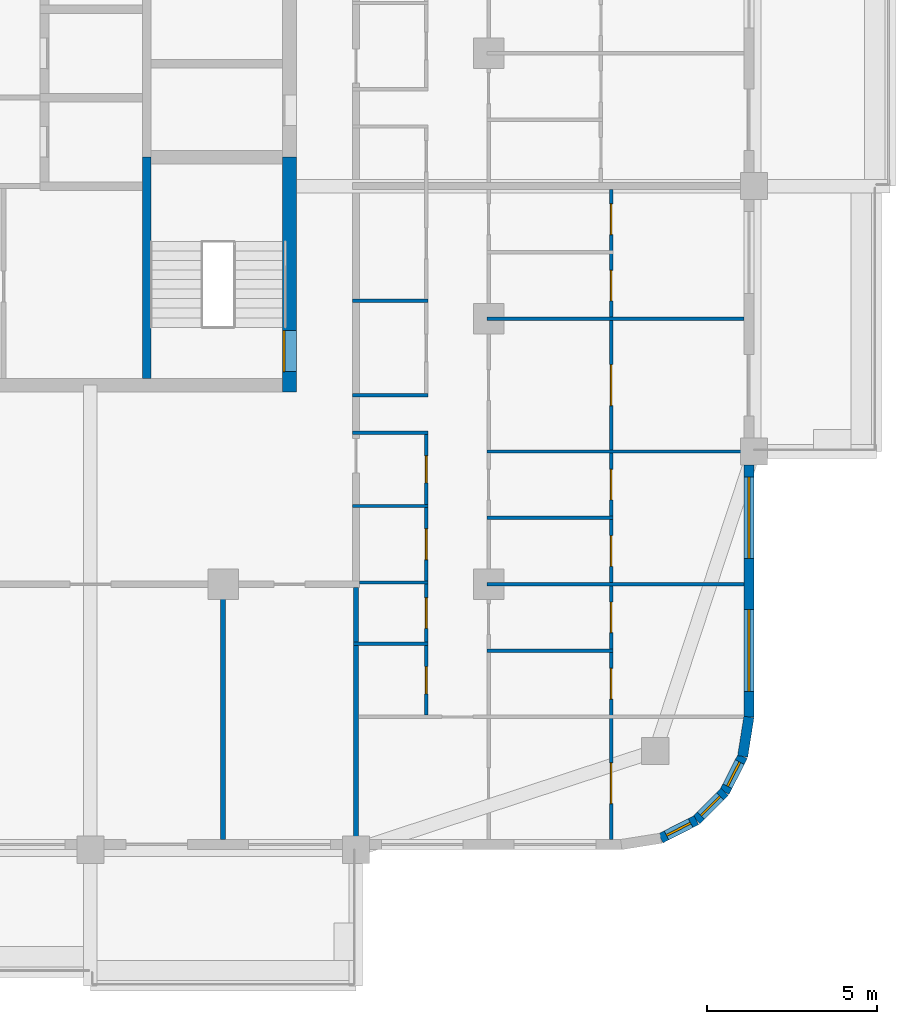
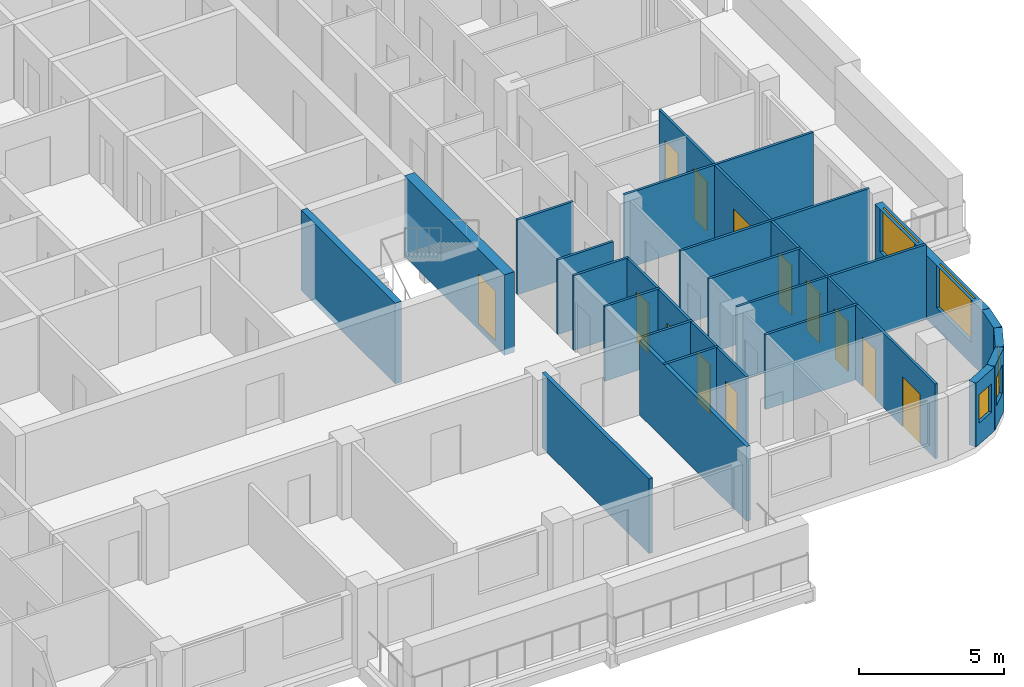
# One storey, part 6 of 16: 22 walls, 13 doors, 5 windows, 18 openings.
"""IFC4 building model written with IfcOpenShell, lengths in metres."""

from ifc_helpers import new_model, si_unit, direction, frame, frame_2d, origin, place, context, subcontext, project, spatial, rectangle, extrude, material, layer, layer_set, type_object, element, fill, save


model = new_model("IFC4")

# Units and contexts
model_context = context("Model", 3, precision=1e-05, world=origin(), true_north=direction((0.0, 1.0)))
body_context = subcontext(model_context, "Body", "Model", "MODEL_VIEW")
ifc_project = project(units=[si_unit("LENGTHUNIT", "METRE"), si_unit("AREAUNIT", "SQUARE_METRE"), si_unit("VOLUMEUNIT", "CUBIC_METRE"), si_unit("PLANEANGLEUNIT", "RADIAN"), si_unit("MASSUNIT", "GRAM", prefix="KILO")], contexts=[model_context])

# Site, building, storey
site_placement = place(None, origin())
site = spatial("IfcSite", under=ifc_project, at=site_placement, CompositionType="ELEMENT")
building_placement = place(site_placement, origin())
building = spatial("IfcBuilding", under=site, at=building_placement, Name="Ludao Terraces", CompositionType="ELEMENT")
storey_placement = place(building_placement, frame((0.0, 0.0, 234.699951171875)))
storey = spatial("IfcBuildingStorey", under=building, at=storey_placement, Name="L64", CompositionType="ELEMENT", Elevation=234.699951171875)

# Wall, opening, door
ifc_material_1 = material(Name="Concrete C50", Category="concrete")
ifc_layer_1 = layer(ifc_material_1, 0.39990234375)
ifc_layer_set_1 = layer_set([ifc_layer_1], Name="Core wall 400 C50")
wall_type_1 = type_object("IfcWallType", Name="Core wall 400 C50", PredefinedType="SOLIDWALL", material=ifc_layer_set_1)
wall_1_placement = place(storey_placement, frame((94.75, 55.050048828125, -0.25), z_axis=(0.0, 0.0, 1.0), x_axis=(0.0, 1.0, 0.0)))
wall_1 = element("IfcWall", 1, at=wall_1_placement, inside=storey, type_object=wall_type_1, Name="Core wall L64 outer-E-S3", PredefinedType="SOLIDWALL", context=body_context, shape_type="SweptSolid", body=[
    extrude(rectangle(XDim=6.89990234375, YDim=0.39990234375, at=frame_2d((3.449951171875, 0.0))), origin(), (0.0, 0.0, 1.0), 3.400146484375),
])
opening_1_placement = place(wall_1_placement, frame((0.60009765625, 0.0, 0.25)))
opening_1 = element("IfcOpeningElement", 2, at=opening_1_placement, cuts=wall_1, Name="Opening R23-038", PredefinedType="OPENING", context=body_context, shape_type="SweptSolid", body=[
    extrude(rectangle(XDim=1.199951171875, YDim=2.10009765625, at=frame_2d((0.60009765625, 1.050048828125))), frame((0.0, 0.2099609375, 0.0), z_axis=(0.0, -1.0, 0.0), x_axis=(1.0, 0.0, 0.0)), (0.0, 0.0, 1.0), 0.419921875),
])
ifc_material_2 = material(Name="Steel Q235", Category="steel")
door_type_1 = type_object("IfcDoorType", Name="INT Stair door 1200", OperationType="DOUBLE_DOOR_SINGLE_SWING", PredefinedType="DOOR", material=ifc_material_2)
door_1_placement = place(opening_1_placement, origin())
door_1 = element("IfcDoor", 3, at=door_1_placement, inside=storey, type_object=door_type_1, Name="DOOR 038", OperationType="DOUBLE_DOOR_SINGLE_SWING", OverallHeight=2.10009765625, OverallWidth=1.199951171875, PredefinedType="DOOR", context=body_context, shape_type="SweptSolid", body=[
    extrude(rectangle(XDim=1.199951171875, YDim=2.10009765625, at=frame_2d((0.60009765625, 1.050048828125))), frame((0.0, 0.18505859375, 0.0), z_axis=(0.0, -1.0, 0.0), x_axis=(1.0, 0.0, 0.0)), (0.0, 0.0, 1.0), 0.050048828125),
])
fill(opening_1, door_1)

# Wall, openings, windows
ifc_material_3 = material(Name="Granite cladding", Category="masonry")
ifc_layer_2 = layer(ifc_material_3, 0.0400390625, Category="stone")
ifc_material_4 = material(Name="Mineral wool")
ifc_layer_3 = layer(ifc_material_4, 0.06005859375)
ifc_material_5 = material(Name="Concrete C40", Category="concrete")
ifc_layer_4 = layer(ifc_material_5, 0.199951171875, Category="concrete")
ifc_layer_set_2 = layer_set([ifc_layer_2, ifc_layer_3, ifc_layer_4], Name="ENV Stone-clad wall 300")
wall_type_2 = type_object("IfcWallType", Name="ENV Stone-clad wall 300", PredefinedType="SOLIDWALL", material=ifc_layer_set_2)
wall_2_placement = place(storey_placement, frame((108.25, 45.5, 0.0), z_axis=(0.0, 0.0, 1.0), x_axis=(0.0, 1.0, 0.0)))
wall_2 = element("IfcWall", 4, at=wall_2_placement, inside=storey, type_object=wall_type_2, Name="EW-L64-E1", PredefinedType="SOLIDWALL", context=body_context, shape_type="SweptSolid", body=[
    extrude(rectangle(XDim=7.39990234375, YDim=0.300048828125, at=frame_2d((3.699951171875, 0.0))), origin(), (0.0, 0.0, 1.0), 2.699951171875),
])
opening_2_placement = place(wall_2_placement, frame((0.75, 0.0, 0.89990234375)))
opening_2 = element("IfcOpeningElement", 5, at=opening_2_placement, cuts=wall_2, Name="Opening W1", PredefinedType="OPENING", context=body_context, shape_type="SweptSolid", body=[
    extrude(rectangle(XDim=2.39990234375, YDim=1.800048828125, at=frame_2d((1.199951171875, 0.89990234375))), frame((0.0, 0.16015625, 0.0), z_axis=(0.0, -1.0, 0.0), x_axis=(1.0, 0.0, 0.0)), (0.0, 0.0, 1.0), 0.320068359375),
])
opening_3_placement = place(wall_2_placement, frame((4.64990234375, 0.0, 0.89990234375)))
opening_3 = element("IfcOpeningElement", 6, at=opening_3_placement, cuts=wall_2, Name="Opening W1", PredefinedType="OPENING", context=body_context, shape_type="SweptSolid", body=[
    extrude(rectangle(XDim=2.39990234375, YDim=1.800048828125, at=frame_2d((1.199951171875, 0.89990234375))), frame((0.0, 0.16015625, 0.0), z_axis=(0.0, -1.0, 0.0), x_axis=(1.0, 0.0, 0.0)), (0.0, 0.0, 1.0), 0.320068359375),
])
ifc_material_6 = material(Name="Clear glass in aluminium frame", Category="aluminium")
ifc_layer_5 = layer(ifc_material_6, 0.06005859375)
ifc_layer_set_3 = layer_set([ifc_layer_5], Name="ENV Window W1 2400x1800")
window_type_1 = type_object("IfcWindowType", Name="ENV Window W1 2400x1800", PartitioningType="DOUBLE_PANEL_VERTICAL", PredefinedType="WINDOW", material=ifc_layer_set_3)
window_1_placement = place(opening_2_placement, origin())
window_1 = element("IfcWindow", 7, at=window_1_placement, inside=storey, type_object=window_type_1, Name="W-L64-E1-1", OverallHeight=1.800048828125, OverallWidth=2.39990234375, PartitioningType="DOUBLE_PANEL_VERTICAL", PredefinedType="WINDOW", context=body_context, shape_type="SweptSolid", body=[
    extrude(rectangle(XDim=2.39990234375, YDim=1.800048828125, at=frame_2d((1.199951171875, 0.89990234375))), frame((0.0, 0.030029296875, 0.0), z_axis=(0.0, -1.0, 0.0), x_axis=(1.0, 0.0, 0.0)), (0.0, 0.0, 1.0), 0.06005859375),
])
fill(opening_2, window_1)
window_2_placement = place(opening_3_placement, origin())
window_2 = element("IfcWindow", 8, at=window_2_placement, inside=storey, type_object=window_type_1, Name="W-L64-E1-2", OverallHeight=1.800048828125, OverallWidth=2.39990234375, PartitioningType="DOUBLE_PANEL_VERTICAL", PredefinedType="WINDOW", context=body_context, shape_type="SweptSolid", body=[
    extrude(rectangle(XDim=2.39990234375, YDim=1.800048828125, at=frame_2d((1.199951171875, 0.89990234375))), frame((0.0, 0.030029296875, 0.0), z_axis=(0.0, -1.0, 0.0), x_axis=(1.0, 0.0, 0.0)), (0.0, 0.0, 1.0), 0.06005859375),
])
fill(opening_3, window_2)

# Wall, opening, window
wall_3_placement = place(storey_placement, frame((105.65869140625, 41.93359375, 0.0), z_axis=(0.0, 0.0, 1.0), x_axis=(0.890988677504, 0.454025524128, 0.0)))
wall_3 = element("IfcWall", 9, at=wall_3_placement, inside=storey, type_object=wall_type_2, Name="EW-L64-SE2", PredefinedType="SOLIDWALL", context=body_context, shape_type="SweptSolid", body=[
    extrude(rectangle(XDim=1.17333984375, YDim=0.300048828125, at=frame_2d((0.586669921875, 0.0))), origin(), (0.0, 0.0, 1.0), 2.699951171875),
])
opening_4_placement = place(wall_3_placement, frame((0.1865234375, 0.0, 0.89990234375)))
opening_4 = element("IfcOpeningElement", 10, at=opening_4_placement, cuts=wall_3, Name="Opening W3", PredefinedType="OPENING", context=body_context, shape_type="SweptSolid", body=[
    extrude(rectangle(XDim=0.800048828125, YDim=1.199951171875, at=frame_2d((0.39990234375, 0.60009765625))), frame((0.0, 0.16015625, 0.0), z_axis=(0.0, -1.0, 0.0), x_axis=(1.0, 0.0, 0.0)), (0.0, 0.0, 1.0), 0.320068359375),
])
ifc_layer_6 = layer(ifc_material_6, 0.06005859375)
ifc_layer_set_4 = layer_set([ifc_layer_6], Name="ENV Window W3 800x1200")
window_type_2 = type_object("IfcWindowType", Name="ENV Window W3 800x1200", PartitioningType="SINGLE_PANEL", PredefinedType="WINDOW", material=ifc_layer_set_4)
window_3_placement = place(opening_4_placement, origin())
window_3 = element("IfcWindow", 11, at=window_3_placement, inside=storey, type_object=window_type_2, Name="W-L64-SE2", OverallHeight=1.199951171875, OverallWidth=0.800048828125, PartitioningType="SINGLE_PANEL", PredefinedType="WINDOW", context=body_context, shape_type="SweptSolid", body=[
    extrude(rectangle(XDim=0.800048828125, YDim=1.199951171875, at=frame_2d((0.39990234375, 0.60009765625))), frame((0.0, 0.030029296875, 0.0), z_axis=(0.0, -1.0, 0.0), x_axis=(1.0, 0.0, 0.0)), (0.0, 0.0, 1.0), 0.06005859375),
])
fill(opening_4, window_3)

wall_4_placement = place(storey_placement, frame((106.7041015625, 42.46630859375, 0.0), z_axis=(0.0, 0.0, 1.0), x_axis=(0.707106781187, 0.707106781187, 0.0)))
wall_4 = element("IfcWall", 12, at=wall_4_placement, inside=storey, type_object=wall_type_2, Name="EW-L64-SE3", PredefinedType="SOLIDWALL", context=body_context, shape_type="SweptSolid", body=[
    extrude(rectangle(XDim=1.173095703125, YDim=0.300048828125, at=frame_2d((0.58642578125, 0.0))), origin(), (0.0, 0.0, 1.0), 2.699951171875),
])
opening_5_placement = place(wall_4_placement, frame((0.1865234375, 0.0, 0.89990234375)))
opening_5 = element("IfcOpeningElement", 13, at=opening_5_placement, cuts=wall_4, Name="Opening W3", PredefinedType="OPENING", context=body_context, shape_type="SweptSolid", body=[
    extrude(rectangle(XDim=0.800048828125, YDim=1.199951171875, at=frame_2d((0.39990234375, 0.60009765625))), frame((0.0, 0.16015625, 0.0), z_axis=(0.0, -1.0, 0.0), x_axis=(1.0, 0.0, 0.0)), (0.0, 0.0, 1.0), 0.320068359375),
])
window_4_placement = place(opening_5_placement, origin())
window_4 = element("IfcWindow", 14, at=window_4_placement, inside=storey, type_object=window_type_2, Name="W-L64-SE3", OverallHeight=1.199951171875, OverallWidth=0.800048828125, PartitioningType="SINGLE_PANEL", PredefinedType="WINDOW", context=body_context, shape_type="SweptSolid", body=[
    extrude(rectangle(XDim=0.800048828125, YDim=1.199951171875, at=frame_2d((0.39990234375, 0.60009765625))), frame((0.0, 0.030029296875, 0.0), z_axis=(0.0, -1.0, 0.0), x_axis=(1.0, 0.0, 0.0)), (0.0, 0.0, 1.0), 0.06005859375),
])
fill(opening_5, window_4)

wall_5_placement = place(storey_placement, frame((107.53369140625, 43.2958984375, 0.0), z_axis=(0.0, 0.0, 1.0), x_axis=(0.454025524128, 0.890988677504, 0.0)))
wall_5 = element("IfcWall", 15, at=wall_5_placement, inside=storey, type_object=wall_type_2, Name="EW-L64-SE4", PredefinedType="SOLIDWALL", context=body_context, shape_type="SweptSolid", body=[
    extrude(rectangle(XDim=1.17333984375, YDim=0.300048828125, at=frame_2d((0.586669921875, 0.0))), origin(), (0.0, 0.0, 1.0), 2.699951171875),
])
opening_6_placement = place(wall_5_placement, frame((0.1865234375, 0.0, 0.89990234375)))
opening_6 = element("IfcOpeningElement", 16, at=opening_6_placement, cuts=wall_5, Name="Opening W3", PredefinedType="OPENING", context=body_context, shape_type="SweptSolid", body=[
    extrude(rectangle(XDim=0.800048828125, YDim=1.199951171875, at=frame_2d((0.39990234375, 0.60009765625))), frame((0.0, 0.16015625, 0.0), z_axis=(0.0, -1.0, 0.0), x_axis=(1.0, 0.0, 0.0)), (0.0, 0.0, 1.0), 0.320068359375),
])
window_5_placement = place(opening_6_placement, origin())
window_5 = element("IfcWindow", 17, at=window_5_placement, inside=storey, type_object=window_type_2, Name="W-L64-SE4", OverallHeight=1.199951171875, OverallWidth=0.800048828125, PartitioningType="SINGLE_PANEL", PredefinedType="WINDOW", context=body_context, shape_type="SweptSolid", body=[
    extrude(rectangle(XDim=0.800048828125, YDim=1.199951171875, at=frame_2d((0.39990234375, 0.60009765625))), frame((0.0, 0.030029296875, 0.0), z_axis=(0.0, -1.0, 0.0), x_axis=(1.0, 0.0, 0.0)), (0.0, 0.0, 1.0), 0.06005859375),
])
fill(opening_6, window_5)

# Walls
wall_6_placement = place(storey_placement, frame((108.06640625, 44.34130859375, 0.0), z_axis=(0.0, 0.0, 1.0), x_axis=(0.156496880861, 0.987678452879, 0.0)))
element("IfcWall", 18, at=wall_6_placement, inside=storey, type_object=wall_type_2, Name="EW-L64-SE5", PredefinedType="SOLIDWALL", context=body_context, shape_type="SweptSolid", body=[
    extrude(rectangle(XDim=1.173095703125, YDim=0.300048828125, at=frame_2d((0.58642578125, 0.0))), origin(), (0.0, 0.0, 1.0), 2.699951171875),
])
ifc_material_7 = material(Name="Gypsum plasterboard", Category="gypsum")
ifc_layer_7 = layer(ifc_material_7, 0.012451171875, Category="gypsum")
ifc_layer_8 = layer(ifc_material_4, 0.06005859375, Name="insulation")
ifc_layer_9 = layer(ifc_material_2, 0.014892578125, Name="stud")
ifc_layer_10 = layer(ifc_material_7, 0.012451171875, Category="gypsum")
ifc_layer_set_5 = layer_set([ifc_layer_7, ifc_layer_8, ifc_layer_9, ifc_layer_10], Name="INT Partition 100")
wall_type_3 = type_object("IfcWallType", Name="INT Partition 100", PredefinedType="PARTITIONING", material=ifc_layer_set_5)
wall_7_placement = place(storey_placement, frame((100.550048828125, 47.449951171875, 0.0), z_axis=(0.0, 0.0, 1.0), x_axis=(1.0, 0.0, 0.0)))
element("IfcWall", 19, at=wall_7_placement, inside=storey, type_object=wall_type_3, Name="PW-L64-PW003", PredefinedType="PARTITIONING", context=body_context, shape_type="SweptSolid", body=[
    extrude(rectangle(XDim=3.699951171875, YDim=0.10009765625, at=frame_2d((1.85009765625, 0.0))), origin(), (0.0, 0.0, 1.0), 3.150146484375),
])
wall_8_placement = place(storey_placement, frame((96.625, 47.64990234375, 0.0), z_axis=(0.0, 0.0, 1.0), x_axis=(1.0, 0.0, 0.0)))
element("IfcWall", 20, at=wall_8_placement, inside=storey, type_object=wall_type_3, Name="PW-L64-PW004", PredefinedType="PARTITIONING", context=body_context, shape_type="SweptSolid", body=[
    extrude(rectangle(XDim=2.195068359375, YDim=0.10009765625, at=frame_2d((1.09765625, 0.0))), origin(), (0.0, 0.0, 1.0), 3.150146484375),
])
wall_9_placement = place(storey_placement, frame((100.550048828125, 49.39990234375, 0.0), z_axis=(0.0, 0.0, 1.0), x_axis=(1.0, 0.0, 0.0)))
element("IfcWall", 21, at=wall_9_placement, inside=storey, type_object=wall_type_3, Name="PW-L64-PW008", PredefinedType="PARTITIONING", context=body_context, shape_type="SweptSolid", body=[
    extrude(rectangle(XDim=7.550048828125, YDim=0.10009765625, at=frame_2d((3.77490234375, 0.0))), origin(), (0.0, 0.0, 1.0), 3.150146484375),
])
wall_10_placement = place(storey_placement, frame((96.800048828125, 49.449951171875, 0.0), z_axis=(0.0, 0.0, 1.0), x_axis=(1.0, 0.0, 0.0)))
element("IfcWall", 22, at=wall_10_placement, inside=storey, type_object=wall_type_3, Name="PW-L64-PW009", PredefinedType="PARTITIONING", context=body_context, shape_type="SweptSolid", body=[
    extrude(rectangle(XDim=2.02001953125, YDim=0.10009765625, at=frame_2d((1.010009765625, 0.0))), origin(), (0.0, 0.0, 1.0), 3.150146484375),
])
wall_11_placement = place(storey_placement, frame((100.550048828125, 51.35009765625, 0.0), z_axis=(0.0, 0.0, 1.0), x_axis=(1.0, 0.0, 0.0)))
element("IfcWall", 23, at=wall_11_placement, inside=storey, type_object=wall_type_3, Name="PW-L64-PW012", PredefinedType="PARTITIONING", context=body_context, shape_type="SweptSolid", body=[
    extrude(rectangle(XDim=3.699951171875, YDim=0.10009765625, at=frame_2d((1.85009765625, 0.0))), origin(), (0.0, 0.0, 1.0), 3.150146484375),
])
wall_12_placement = place(storey_placement, frame((96.60009765625, 51.699951171875, 0.0), z_axis=(0.0, 0.0, 1.0), x_axis=(1.0, 0.0, 0.0)))
element("IfcWall", 24, at=wall_12_placement, inside=storey, type_object=wall_type_3, Name="PW-L64-PW013", PredefinedType="PARTITIONING", context=body_context, shape_type="SweptSolid", body=[
    extrude(rectangle(XDim=2.219970703125, YDim=0.10009765625, at=frame_2d((1.10986328125, 0.0))), origin(), (0.0, 0.0, 1.0), 3.150146484375),
])
wall_13_placement = place(storey_placement, frame((100.550048828125, 53.300048828125, 0.0), z_axis=(0.0, 0.0, 1.0), x_axis=(1.0, 0.0, 0.0)))
element("IfcWall", 25, at=wall_13_placement, inside=storey, type_object=wall_type_3, Name="PW-L64-PW015", PredefinedType="PARTITIONING", context=body_context, shape_type="SweptSolid", body=[
    extrude(rectangle(XDim=7.550048828125, YDim=0.10009765625, at=frame_2d((3.77490234375, 0.0))), origin(), (0.0, 0.0, 1.0), 3.150146484375),
])
for number, where, z_axis, x_axis, name in (
    (26, (96.60009765625, 53.85009765625, 0.0), (0.0, 0.0, 1.0), (1.0, 0.0, 0.0), "PW-L64-PW017"),
    (27, (96.60009765625, 54.949951171875, 0.0), (0.0, 0.0, 1.0), (1.0, 0.0, 0.0), "PW-L64-PW019"),
):
    element("IfcWall", number, at=place(storey_placement, frame(where, z_axis=z_axis, x_axis=x_axis)), inside=storey, type_object=wall_type_3, Name=name, PredefinedType="PARTITIONING", context=body_context, shape_type="SweptSolid", body=[
        extrude(rectangle(XDim=2.219970703125, YDim=0.10009765625, at=frame_2d((1.10986328125, 0.0))), origin(), (0.0, 0.0, 1.0), 3.150146484375),
    ])
wall_14_placement = place(storey_placement, frame((100.550048828125, 57.199951171875, 0.0), z_axis=(0.0, 0.0, 1.0), x_axis=(1.0, 0.0, 0.0)))
element("IfcWall", 28, at=wall_14_placement, inside=storey, type_object=wall_type_3, Name="PW-L64-PW022", PredefinedType="PARTITIONING", context=body_context, shape_type="SweptSolid", body=[
    extrude(rectangle(XDim=7.550048828125, YDim=0.10009765625, at=frame_2d((3.77490234375, 0.0))), origin(), (0.0, 0.0, 1.0), 3.150146484375),
])
wall_15_placement = place(storey_placement, frame((96.60009765625, 57.72998046875, 0.0), z_axis=(0.0, 0.0, 1.0), x_axis=(1.0, 0.0, 0.0)))
element("IfcWall", 29, at=wall_15_placement, inside=storey, type_object=wall_type_3, Name="PW-L64-PW023", PredefinedType="PARTITIONING", context=body_context, shape_type="SweptSolid", body=[
    extrude(rectangle(XDim=2.219970703125, YDim=0.10009765625, at=frame_2d((1.10986328125, 0.0))), origin(), (0.0, 0.0, 1.0), 3.150146484375),
])

# Wall, openings, doors
wall_16_placement = place(storey_placement, frame((98.77001953125, 45.550048828125, 0.0), z_axis=(0.0, 0.0, 1.0), x_axis=(0.0, 1.0, 0.0)))
wall_16 = element("IfcWall", 30, at=wall_16_placement, inside=storey, type_object=wall_type_3, Name="PW-L64-PW095", PredefinedType="PARTITIONING", context=body_context, shape_type="SweptSolid", body=[
    extrude(rectangle(XDim=8.25, YDim=0.10009765625, at=frame_2d((4.125, 0.0))), origin(), (0.0, 0.0, 1.0), 3.150146484375),
])
opening_7_placement = place(wall_16_placement, frame((0.625, 0.0, 0.0)))
opening_7 = element("IfcOpeningElement", 31, at=opening_7_placement, cuts=wall_16, Name="Opening R23-009", PredefinedType="OPENING", context=body_context, shape_type="SweptSolid", body=[
    extrude(rectangle(XDim=0.800048828125, YDim=2.10009765625, at=frame_2d((0.39990234375, 1.050048828125))), frame((0.0, 0.06005859375, 0.0), z_axis=(0.0, -1.0, 0.0), x_axis=(1.0, 0.0, 0.0)), (0.0, 0.0, 1.0), 0.1201171875),
])
opening_8_placement = place(wall_16_placement, frame((2.550048828125, 0.0, 0.0)))
opening_8 = element("IfcOpeningElement", 32, at=opening_8_placement, cuts=wall_16, Name="Opening R23-015", PredefinedType="OPENING", context=body_context, shape_type="SweptSolid", body=[
    extrude(rectangle(XDim=0.89990234375, YDim=2.10009765625, at=frame_2d((0.449951171875, 1.050048828125))), frame((0.0, 0.06005859375, 0.0), z_axis=(0.0, -1.0, 0.0), x_axis=(1.0, 0.0, 0.0)), (0.0, 0.0, 1.0), 0.1201171875),
])
opening_9_placement = place(wall_16_placement, frame((4.574951171875, 0.0, 0.0)))
opening_9 = element("IfcOpeningElement", 33, at=opening_9_placement, cuts=wall_16, Name="Opening R23-023", PredefinedType="OPENING", context=body_context, shape_type="SweptSolid", body=[
    extrude(rectangle(XDim=0.89990234375, YDim=2.10009765625, at=frame_2d((0.449951171875, 1.050048828125))), frame((0.0, 0.06005859375, 0.0), z_axis=(0.0, -1.0, 0.0), x_axis=(1.0, 0.0, 0.0)), (0.0, 0.0, 1.0), 0.1201171875),
])
opening_10_placement = place(wall_16_placement, frame((6.824951171875, 0.0, 0.0)))
opening_10 = element("IfcOpeningElement", 34, at=opening_10_placement, cuts=wall_16, Name="Opening R23-029", PredefinedType="OPENING", context=body_context, shape_type="SweptSolid", body=[
    extrude(rectangle(XDim=0.800048828125, YDim=2.10009765625, at=frame_2d((0.39990234375, 1.050048828125))), frame((0.0, 0.06005859375, 0.0), z_axis=(0.0, -1.0, 0.0), x_axis=(1.0, 0.0, 0.0)), (0.0, 0.0, 1.0), 0.1201171875),
])
ifc_material_8 = material(Name="Timber door leaf", Category="wood")
door_type_2 = type_object("IfcDoorType", Name="INT Bathroom door 900", OperationType="SINGLE_SWING_LEFT", PredefinedType="DOOR", material=ifc_material_8)
door_2_placement = place(opening_8_placement, origin())
door_2 = element("IfcDoor", 35, at=door_2_placement, inside=storey, type_object=door_type_2, Name="DOOR 015", OperationType="SINGLE_SWING_LEFT", OverallHeight=2.10009765625, OverallWidth=0.89990234375, PredefinedType="DOOR", context=body_context, shape_type="SweptSolid", body=[
    extrude(rectangle(XDim=0.89990234375, YDim=2.10009765625, at=frame_2d((0.449951171875, 1.050048828125))), frame((0.0, 0.02490234375, 0.0), z_axis=(0.0, -1.0, 0.0), x_axis=(1.0, 0.0, 0.0)), (0.0, 0.0, 1.0), 0.050048828125),
])
fill(opening_8, door_2)
door_3_placement = place(opening_9_placement, origin())
door_3 = element("IfcDoor", 36, at=door_3_placement, inside=storey, type_object=door_type_2, Name="DOOR 023", OperationType="SINGLE_SWING_RIGHT", OverallHeight=2.10009765625, OverallWidth=0.89990234375, PredefinedType="DOOR", context=body_context, shape_type="SweptSolid", body=[
    extrude(rectangle(XDim=0.89990234375, YDim=2.10009765625, at=frame_2d((0.449951171875, 1.050048828125))), frame((0.0, 0.02490234375, 0.0), z_axis=(0.0, -1.0, 0.0), x_axis=(1.0, 0.0, 0.0)), (0.0, 0.0, 1.0), 0.050048828125),
])
fill(opening_9, door_3)
door_type_3 = type_object("IfcDoorType", Name="INT Store door 800", OperationType="SINGLE_SWING_LEFT", PredefinedType="DOOR", material=ifc_material_8)
door_4_placement = place(opening_7_placement, origin())
door_4 = element("IfcDoor", 37, at=door_4_placement, inside=storey, type_object=door_type_3, Name="DOOR 009", OperationType="SINGLE_SWING_RIGHT", OverallHeight=2.10009765625, OverallWidth=0.800048828125, PredefinedType="DOOR", context=body_context, shape_type="SweptSolid", body=[
    extrude(rectangle(XDim=0.800048828125, YDim=2.10009765625, at=frame_2d((0.39990234375, 1.050048828125))), frame((0.0, 0.02490234375, 0.0), z_axis=(0.0, -1.0, 0.0), x_axis=(1.0, 0.0, 0.0)), (0.0, 0.0, 1.0), 0.050048828125),
])
fill(opening_7, door_4)
door_5_placement = place(opening_10_placement, origin())
door_5 = element("IfcDoor", 38, at=door_5_placement, inside=storey, type_object=door_type_3, Name="DOOR 029", OperationType="SINGLE_SWING_RIGHT", OverallHeight=2.10009765625, OverallWidth=0.800048828125, PredefinedType="DOOR", context=body_context, shape_type="SweptSolid", body=[
    extrude(rectangle(XDim=0.800048828125, YDim=2.10009765625, at=frame_2d((0.39990234375, 1.050048828125))), frame((0.0, 0.02490234375, 0.0), z_axis=(0.0, -1.0, 0.0), x_axis=(1.0, 0.0, 0.0)), (0.0, 0.0, 1.0), 0.050048828125),
])
fill(opening_10, door_5)

wall_17_placement = place(storey_placement, frame((104.199951171875, 41.900146484375, 0.0), z_axis=(0.0, 0.0, 1.0), x_axis=(0.0, 1.0, 0.0)))
wall_17 = element("IfcWall", 39, at=wall_17_placement, inside=storey, type_object=wall_type_3, Name="PW-L64-PW101", PredefinedType="PARTITIONING", context=body_context, shape_type="SweptSolid", body=[
    extrude(rectangle(XDim=19.099853515625, YDim=0.10009765625, at=frame_2d((9.5498046875, 0.0))), origin(), (0.0, 0.0, 1.0), 3.150146484375),
])
opening_11_placement = place(wall_17_placement, frame((1.050048828125, 0.0, 0.0)))
opening_11 = element("IfcOpeningElement", 40, at=opening_11_placement, cuts=wall_17, Name="Opening R23-004", PredefinedType="OPENING", context=body_context, shape_type="SweptSolid", body=[
    extrude(rectangle(XDim=1.199951171875, YDim=2.10009765625, at=frame_2d((0.60009765625, 1.050048828125))), frame((0.0, 0.06005859375, 0.0), z_axis=(0.0, -1.0, 0.0), x_axis=(1.0, 0.0, 0.0)), (0.0, 0.0, 1.0), 0.1201171875),
])
opening_12_placement = place(wall_17_placement, frame((4.125, 0.0, 0.0)))
opening_12 = element("IfcOpeningElement", 41, at=opening_12_placement, cuts=wall_17, Name="Opening R23-008", PredefinedType="OPENING", context=body_context, shape_type="SweptSolid", body=[
    extrude(rectangle(XDim=0.89990234375, YDim=2.10009765625, at=frame_2d((0.449951171875, 1.050048828125))), frame((0.0, 0.06005859375, 0.0), z_axis=(0.0, -1.0, 0.0), x_axis=(1.0, 0.0, 0.0)), (0.0, 0.0, 1.0), 0.1201171875),
])
opening_13_placement = place(wall_17_placement, frame((6.074951171875, 0.0, 0.0)))
opening_13 = element("IfcOpeningElement", 42, at=opening_13_placement, cuts=wall_17, Name="Opening R23-014", PredefinedType="OPENING", context=body_context, shape_type="SweptSolid", body=[
    extrude(rectangle(XDim=0.89990234375, YDim=2.10009765625, at=frame_2d((0.449951171875, 1.050048828125))), frame((0.0, 0.06005859375, 0.0), z_axis=(0.0, -1.0, 0.0), x_axis=(1.0, 0.0, 0.0)), (0.0, 0.0, 1.0), 0.1201171875),
])
opening_14_placement = place(wall_17_placement, frame((8.02490234375, 0.0, 0.0)))
opening_14 = element("IfcOpeningElement", 43, at=opening_14_placement, cuts=wall_17, Name="Opening R23-022", PredefinedType="OPENING", context=body_context, shape_type="SweptSolid", body=[
    extrude(rectangle(XDim=0.89990234375, YDim=2.10009765625, at=frame_2d((0.449951171875, 1.050048828125))), frame((0.0, 0.06005859375, 0.0), z_axis=(0.0, -1.0, 0.0), x_axis=(1.0, 0.0, 0.0)), (0.0, 0.0, 1.0), 0.1201171875),
])
opening_15_placement = place(wall_17_placement, frame((9.97509765625, 0.0, 0.0)))
opening_15 = element("IfcOpeningElement", 44, at=opening_15_placement, cuts=wall_17, Name="Opening R23-027", PredefinedType="OPENING", context=body_context, shape_type="SweptSolid", body=[
    extrude(rectangle(XDim=0.89990234375, YDim=2.10009765625, at=frame_2d((0.449951171875, 1.050048828125))), frame((0.0, 0.06005859375, 0.0), z_axis=(0.0, -1.0, 0.0), x_axis=(1.0, 0.0, 0.0)), (0.0, 0.0, 1.0), 0.1201171875),
])
opening_16_placement = place(wall_17_placement, frame((12.75, 0.0, 0.0)))
opening_16 = element("IfcOpeningElement", 45, at=opening_16_placement, cuts=wall_17, Name="Opening R23-036", PredefinedType="OPENING", context=body_context, shape_type="SweptSolid", body=[
    extrude(rectangle(XDim=1.199951171875, YDim=2.10009765625, at=frame_2d((0.60009765625, 1.050048828125))), frame((0.0, 0.06005859375, 0.0), z_axis=(0.0, -1.0, 0.0), x_axis=(1.0, 0.0, 0.0)), (0.0, 0.0, 1.0), 0.1201171875),
])
opening_17_placement = place(wall_17_placement, frame((15.824951171875, 0.0, 0.0)))
opening_17 = element("IfcOpeningElement", 46, at=opening_17_placement, cuts=wall_17, Name="Opening R23-044", PredefinedType="OPENING", context=body_context, shape_type="SweptSolid", body=[
    extrude(rectangle(XDim=0.89990234375, YDim=2.10009765625, at=frame_2d((0.449951171875, 1.050048828125))), frame((0.0, 0.06005859375, 0.0), z_axis=(0.0, -1.0, 0.0), x_axis=(1.0, 0.0, 0.0)), (0.0, 0.0, 1.0), 0.1201171875),
])
opening_18_placement = place(wall_17_placement, frame((17.77490234375, 0.0, 0.0)))
opening_18 = element("IfcOpeningElement", 47, at=opening_18_placement, cuts=wall_17, Name="Opening R23-050", PredefinedType="OPENING", context=body_context, shape_type="SweptSolid", body=[
    extrude(rectangle(XDim=0.89990234375, YDim=2.10009765625, at=frame_2d((0.449951171875, 1.050048828125))), frame((0.0, 0.06005859375, 0.0), z_axis=(0.0, -1.0, 0.0), x_axis=(1.0, 0.0, 0.0)), (0.0, 0.0, 1.0), 0.1201171875),
])
door_6_placement = place(opening_12_placement, origin())
door_6 = element("IfcDoor", 48, at=door_6_placement, inside=storey, type_object=door_type_2, Name="DOOR 008", OperationType="SINGLE_SWING_RIGHT", OverallHeight=2.10009765625, OverallWidth=0.89990234375, PredefinedType="DOOR", context=body_context, shape_type="SweptSolid", body=[
    extrude(rectangle(XDim=0.89990234375, YDim=2.10009765625, at=frame_2d((0.449951171875, 1.050048828125))), frame((0.0, 0.02490234375, 0.0), z_axis=(0.0, -1.0, 0.0), x_axis=(1.0, 0.0, 0.0)), (0.0, 0.0, 1.0), 0.050048828125),
])
fill(opening_12, door_6)
door_7_placement = place(opening_14_placement, origin())
door_7 = element("IfcDoor", 49, at=door_7_placement, inside=storey, type_object=door_type_2, Name="DOOR 022", OperationType="SINGLE_SWING_LEFT", OverallHeight=2.10009765625, OverallWidth=0.89990234375, PredefinedType="DOOR", context=body_context, shape_type="SweptSolid", body=[
    extrude(rectangle(XDim=0.89990234375, YDim=2.10009765625, at=frame_2d((0.449951171875, 1.050048828125))), frame((0.0, 0.02490234375, 0.0), z_axis=(0.0, -1.0, 0.0), x_axis=(1.0, 0.0, 0.0)), (0.0, 0.0, 1.0), 0.050048828125),
])
fill(opening_14, door_7)
door_8_placement = place(opening_17_placement, origin())
door_8 = element("IfcDoor", 50, at=door_8_placement, inside=storey, type_object=door_type_2, Name="DOOR 044", OperationType="SINGLE_SWING_LEFT", OverallHeight=2.10009765625, OverallWidth=0.89990234375, PredefinedType="DOOR", context=body_context, shape_type="SweptSolid", body=[
    extrude(rectangle(XDim=0.89990234375, YDim=2.10009765625, at=frame_2d((0.449951171875, 1.050048828125))), frame((0.0, 0.02490234375, 0.0), z_axis=(0.0, -1.0, 0.0), x_axis=(1.0, 0.0, 0.0)), (0.0, 0.0, 1.0), 0.050048828125),
])
fill(opening_17, door_8)
door_type_4 = type_object("IfcDoorType", Name="INT Double door 1200", OperationType="DOUBLE_DOOR_SINGLE_SWING", PredefinedType="DOOR", material=ifc_material_8)
door_9_placement = place(opening_11_placement, origin())
door_9 = element("IfcDoor", 51, at=door_9_placement, inside=storey, type_object=door_type_4, Name="DOOR 004", OperationType="DOUBLE_DOOR_SINGLE_SWING", OverallHeight=2.10009765625, OverallWidth=1.199951171875, PredefinedType="DOOR", context=body_context, shape_type="SweptSolid", body=[
    extrude(rectangle(XDim=1.199951171875, YDim=2.10009765625, at=frame_2d((0.60009765625, 1.050048828125))), frame((0.0, 0.02490234375, 0.0), z_axis=(0.0, -1.0, 0.0), x_axis=(1.0, 0.0, 0.0)), (0.0, 0.0, 1.0), 0.050048828125),
])
fill(opening_11, door_9)
door_10_placement = place(opening_16_placement, origin())
door_10 = element("IfcDoor", 52, at=door_10_placement, inside=storey, type_object=door_type_4, Name="DOOR 036", OperationType="DOUBLE_DOOR_SINGLE_SWING", OverallHeight=2.10009765625, OverallWidth=1.199951171875, PredefinedType="DOOR", context=body_context, shape_type="SweptSolid", body=[
    extrude(rectangle(XDim=1.199951171875, YDim=2.10009765625, at=frame_2d((0.60009765625, 1.050048828125))), frame((0.0, 0.02490234375, 0.0), z_axis=(0.0, -1.0, 0.0), x_axis=(1.0, 0.0, 0.0)), (0.0, 0.0, 1.0), 0.050048828125),
])
fill(opening_16, door_10)
door_type_5 = type_object("IfcDoorType", Name="INT Room door 900", OperationType="SINGLE_SWING_LEFT", PredefinedType="DOOR", material=ifc_material_8)
door_11_placement = place(opening_13_placement, origin())
door_11 = element("IfcDoor", 53, at=door_11_placement, inside=storey, type_object=door_type_5, Name="DOOR 014", OperationType="SINGLE_SWING_LEFT", OverallHeight=2.10009765625, OverallWidth=0.89990234375, PredefinedType="DOOR", context=body_context, shape_type="SweptSolid", body=[
    extrude(rectangle(XDim=0.89990234375, YDim=2.10009765625, at=frame_2d((0.449951171875, 1.050048828125))), frame((0.0, 0.02490234375, 0.0), z_axis=(0.0, -1.0, 0.0), x_axis=(1.0, 0.0, 0.0)), (0.0, 0.0, 1.0), 0.050048828125),
])
fill(opening_13, door_11)
door_12_placement = place(opening_15_placement, origin())
door_12 = element("IfcDoor", 54, at=door_12_placement, inside=storey, type_object=door_type_5, Name="DOOR 027", OperationType="SINGLE_SWING_RIGHT", OverallHeight=2.10009765625, OverallWidth=0.89990234375, PredefinedType="DOOR", context=body_context, shape_type="SweptSolid", body=[
    extrude(rectangle(XDim=0.89990234375, YDim=2.10009765625, at=frame_2d((0.449951171875, 1.050048828125))), frame((0.0, 0.02490234375, 0.0), z_axis=(0.0, -1.0, 0.0), x_axis=(1.0, 0.0, 0.0)), (0.0, 0.0, 1.0), 0.050048828125),
])
fill(opening_15, door_12)
door_13_placement = place(opening_18_placement, origin())
door_13 = element("IfcDoor", 55, at=door_13_placement, inside=storey, type_object=door_type_5, Name="DOOR 050", OperationType="SINGLE_SWING_LEFT", OverallHeight=2.10009765625, OverallWidth=0.89990234375, PredefinedType="DOOR", context=body_context, shape_type="SweptSolid", body=[
    extrude(rectangle(XDim=0.89990234375, YDim=2.10009765625, at=frame_2d((0.449951171875, 1.050048828125))), frame((0.0, 0.02490234375, 0.0), z_axis=(0.0, -1.0, 0.0), x_axis=(1.0, 0.0, 0.0)), (0.0, 0.0, 1.0), 0.050048828125),
])
fill(opening_18, door_13)

# Walls
ifc_material_9 = material(Name="Autoclaved aerated concrete block B06 A3.5", Category="concrete")
ifc_layer_11 = layer(ifc_material_9, 0.14990234375)
ifc_layer_set_6 = layer_set([ifc_layer_11], Name="INT Party wall 150")
wall_type_4 = type_object("IfcWallType", Name="INT Party wall 150", PredefinedType="PARTITIONING", material=ifc_layer_set_6)
for number, where, z_axis, x_axis, name in (
    (56, (92.800048828125, 41.900146484375, 0.0), (0.0, 0.0, 1.0), (0.0, 1.0, 0.0), "PW-L64-PW090"),
    (57, (96.699951171875, 41.900146484375, 0.0), (0.0, 0.0, 1.0), (0.0, 1.0, 0.0), "PW-L64-PW092"),
):
    element("IfcWall", number, at=place(storey_placement, frame(where, z_axis=z_axis, x_axis=x_axis)), inside=storey, type_object=wall_type_4, Name=name, PredefinedType="PARTITIONING", context=body_context, shape_type="SweptSolid", body=[
        extrude(rectangle(XDim=7.39990234375, YDim=0.14990234375, at=frame_2d((3.699951171875, 0.0))), origin(), (0.0, 0.0, 1.0), 3.150146484375),
    ])
ifc_layer_12 = layer(ifc_material_1, 0.25)
ifc_layer_set_7 = layer_set([ifc_layer_12], Name="Shaft wall 250 C50")
wall_type_5 = type_object("IfcWallType", Name="Shaft wall 250 C50", PredefinedType="SOLIDWALL", material=ifc_layer_set_7)
wall_18_placement = place(storey_placement, frame((90.550048828125, 55.449951171875, -0.25), z_axis=(0.0, 0.0, 1.0), x_axis=(0.0, 1.0, 0.0)))
element("IfcWall", 58, at=wall_18_placement, inside=storey, type_object=wall_type_5, Name="Core wall L64 back-E-S3", PredefinedType="SOLIDWALL", context=body_context, shape_type="SweptSolid", body=[
    extrude(rectangle(XDim=6.5, YDim=0.25, at=frame_2d((3.25, 0.0))), origin(), (0.0, 0.0, 1.0), 3.400146484375),
])

save(model, "model.ifc")
